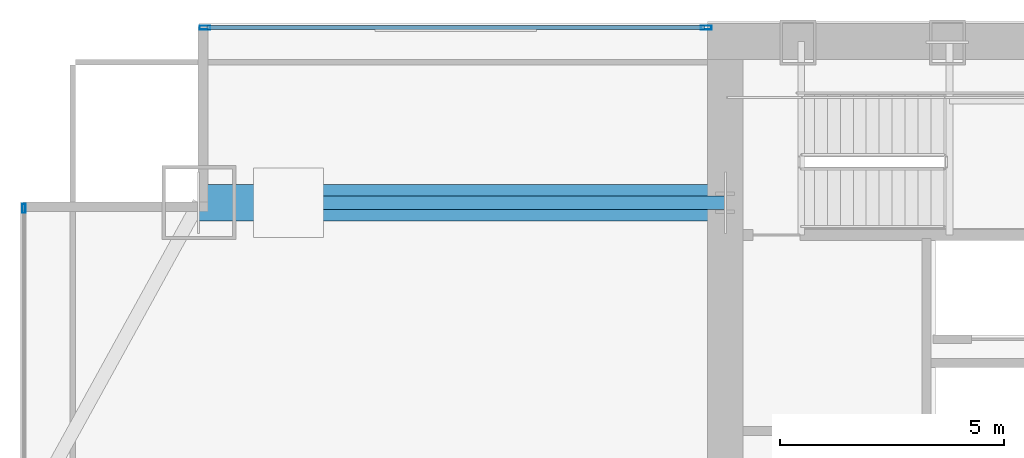
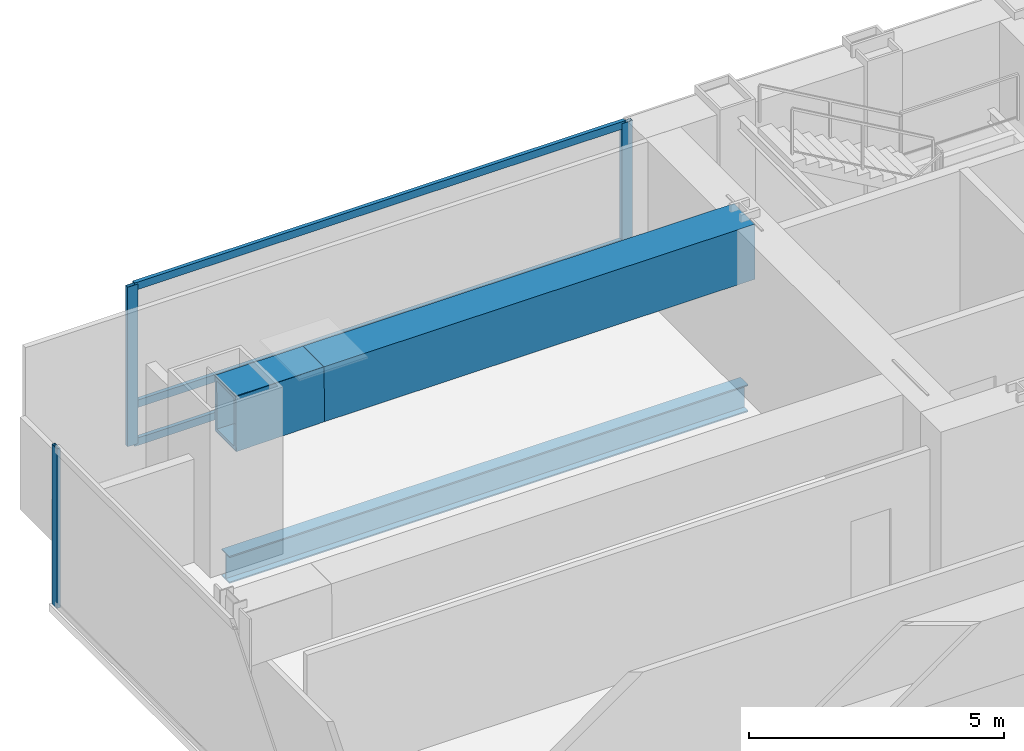
# One storey, part 15 of 32: 6 members, 3 beams, 2 elements without a shape of their own.
"""IFC4 building model written with IfcOpenShell, lengths in metres."""

import ifcopenshell
import ifcopenshell.guid

model = None  # the IFC model being written
_history = None  # IfcOwnerHistory: only IFC2X3 demands one
_inside = {}  # id of a spatial element -> (the spatial element, [elements in it])
_under = {}  # id of a project, library or spatial element -> (it, [spatial elements below it])
_declared = {}  # id of a project -> (the project, [libraries it declares])
_typed = {}  # id of a type object -> (the type object, [elements of that type])
_made_of = {}  # id of a material, layer set ... -> (it, [elements and type objects made of it])


def new_model(schema):
    """Start an empty IFC model of exactly this schema.

    Asked for "IFC4X3", IfcOpenShell would pick the latest addendum, in which some entities
    have other attributes; the version numbers below select the first issue.
    IFC2X3 requires an IfcOwnerHistory on every rooted entity: one is made here for all.
    """
    global model, _history
    if schema == "IFC4X3":
        model = ifcopenshell.file(schema_version=(4, 3, 0, 0))
    else:
        model = ifcopenshell.file(schema=schema)
    _inside.clear()
    _under.clear()
    _declared.clear()
    _typed.clear()
    _made_of.clear()
    _history = None
    if model.schema == "IFC2X3":
        org = make("IfcOrganization", Name="unknown")
        user = make(
            "IfcPersonAndOrganization",
            ThePerson=make("IfcPerson", FamilyName="unknown"),
            TheOrganization=org,
        )
        app = make(
            "IfcApplication",
            ApplicationDeveloper=org,
            Version="unknown",
            ApplicationFullName="unknown",
            ApplicationIdentifier="unknown",
        )
        _history = make(
            "IfcOwnerHistory",
            OwningUser=user,
            OwningApplication=app,
            ChangeAction="ADDED",
            CreationDate=0,
        )
    return model


def make(cls, **values):
    """One entity of the class cls with the attributes given. An attribute that is None is left unset."""
    return model.create_entity(
        cls, **{name: value for name, value in values.items() if value is not None}
    )


def rooted(cls, **values):
    """An entity with a GlobalId (a new one), such as an element, a storey or a relation."""
    return make(cls, GlobalId=ifcopenshell.guid.new(), OwnerHistory=_history, **values)


def si_unit(unit_type, name, prefix=None):
    """IfcSIUnit, for example si_unit("LENGTHUNIT", "METRE", prefix="MILLI")."""
    return make("IfcSIUnit", UnitType=unit_type, Prefix=prefix, Name=name)


def assignment(units):
    """IfcUnitAssignment: the units of a project."""
    return None if units is None else make("IfcUnitAssignment", Units=units)


def point(xyz):
    """IfcCartesianPoint."""
    return None if xyz is None else make("IfcCartesianPoint", Coordinates=xyz)


def direction(xyz):
    """IfcDirection."""
    return None if xyz is None else make("IfcDirection", DirectionRatios=xyz)


def frame(location, z_axis=None, x_axis=None):
    """IfcAxis2Placement3D, a coordinate frame: its origin and axes. An axis left out is left unset."""
    return make(
        "IfcAxis2Placement3D",
        Location=point(location),
        Axis=direction(z_axis),
        RefDirection=direction(x_axis),
    )


def frame_2d(location, x_axis=None):
    """IfcAxis2Placement2D, a coordinate frame in the plane: its origin and x axis."""
    return make(
        "IfcAxis2Placement2D", Location=point(location), RefDirection=direction(x_axis)
    )


def origin():
    """The frame at (0, 0, 0) with its axes left unset."""
    return frame((0.0, 0.0, 0.0))


def origin_2d():
    """The frame at (0, 0) in the plane with its x axis left unset."""
    return frame_2d((0.0, 0.0))


def place(relative_to, where):
    """IfcLocalPlacement: puts the frame where relative to a parent placement (None: the world)."""
    return make(
        "IfcLocalPlacement", PlacementRelTo=relative_to, RelativePlacement=where
    )


def context(
    kind, dimensions, precision=None, world=None, true_north=None, identifier=None
):
    """IfcGeometricRepresentationContext, for example the 3D "Model" context."""
    return make(
        "IfcGeometricRepresentationContext",
        ContextIdentifier=identifier,
        ContextType=kind,
        CoordinateSpaceDimension=dimensions,
        Precision=precision,
        WorldCoordinateSystem=world,
        TrueNorth=true_north,
    )


def subcontext(parent, identifier, kind, view, scale=None):
    """IfcGeometricRepresentationSubContext, for example "Body" below "Model"."""
    return make(
        "IfcGeometricRepresentationSubContext",
        ContextIdentifier=identifier,
        ContextType=kind,
        ParentContext=parent,
        TargetScale=scale,
        TargetView=view,
    )


def project(units=None, contexts=None):
    """IfcProject with its units and contexts."""
    return rooted(
        "IfcProject",
        Name="project",
        RepresentationContexts=contexts,
        UnitsInContext=assignment(units),
    )


def spatial(cls, under=None, at=None, **own):
    """A site, building, storey or space (cls), placed at a placement, below another one or the project."""
    s = rooted(cls, ObjectPlacement=at, **own)
    if under is not None:
        _under.setdefault(under.id(), (under, []))[1].append(s)
    return s


def profile(cls, at=None, kind="AREA", **sizes):
    """A parametric profile (cls). Its sizes go by their IFC names, for example OverallWidth=200.0."""
    return make(cls, ProfileType=kind, Position=at, **sizes)


def hollow_rectangle(**sizes):
    """IfcRectangleHollowProfileDef."""
    return profile("IfcRectangleHollowProfileDef", **sizes)


def i_section(**sizes):
    """IfcIShapeProfileDef."""
    return profile("IfcIShapeProfileDef", **sizes)


def extrude(swept, where, along, depth):
    """IfcExtrudedAreaSolid: the profile swept, set in the frame where, extruded along a direction by depth."""
    return make(
        "IfcExtrudedAreaSolid",
        SweptArea=swept,
        Position=where,
        ExtrudedDirection=direction(along),
        Depth=depth,
    )


def shape(context_of_items, identifier, shape_type, items):
    """IfcShapeRepresentation: the items that make up one representation, for example the "Body"."""
    return make(
        "IfcShapeRepresentation",
        ContextOfItems=context_of_items,
        RepresentationIdentifier=identifier,
        RepresentationType=shape_type,
        Items=items,
    )


def material(Name=None, Category=None):
    """IfcMaterial."""
    return make("IfcMaterial", Name=Name, Category=Category)


def material_profile(
    of_material, cross_section, Name=None, Category=None, Priority=None
):
    """IfcMaterialProfile: a cross section and its material."""
    return make(
        "IfcMaterialProfile",
        Name=Name,
        Material=of_material,
        Profile=cross_section,
        Priority=Priority,
        Category=Category,
    )


def profile_set(profiles, Name=None, composite=None):
    """IfcMaterialProfileSet."""
    return make(
        "IfcMaterialProfileSet",
        Name=Name,
        MaterialProfiles=profiles,
        CompositeProfile=composite,
    )


def made_of(thing, what):
    """Note that an element or type object is made of a material, layer set ...; save() writes the relation."""
    if what is not None:
        _made_of.setdefault(what.id(), (what, []))[1].append(thing)
    return thing


def type_object(cls, material=None, **own):
    """A type object (cls), such as IfcWallType, which elements share."""
    return made_of(rooted(cls, **own), material)


def element(
    cls,
    number,
    at=None,
    inside=None,
    cuts=None,
    type_object=None,
    material=None,
    context=None,
    identifier="Body",
    shape_type=None,
    held_by="IfcProductDefinitionShape",
    body=None,
    shapes=None,
    **own,
):
    """One element of the class cls, such as IfcWall. Its Tag is "e" and its number.

    at: its placement. inside: the storey or other place that contains it. cuts: it is an
    opening in that element (IfcRelVoidsElement). A single representation is given by context,
    identifier, shape_type and body (its items); several are given by shapes. held_by: the class
    of the entity that holds the representations. save() writes the other relations.
    """
    e = rooted(cls, Tag="e%d" % number, ObjectPlacement=at, **own)
    if body is not None:
        shapes = [shape(context, identifier, shape_type, body)]
    if shapes is not None:
        e.Representation = make(held_by, Representations=shapes)
    if inside is not None:
        _inside.setdefault(inside.id(), (inside, []))[1].append(e)
    if cuts is not None:
        rooted(
            "IfcRelVoidsElement", RelatingBuildingElement=cuts, RelatedOpeningElement=e
        )
    if type_object is not None:
        _typed.setdefault(type_object.id(), (type_object, []))[1].append(e)
    return made_of(e, material)


def aggregate(whole, parts):
    """IfcRelAggregates: a whole, such as a stair, and the parts it consists of."""
    return rooted("IfcRelAggregates", RelatingObject=whole, RelatedObjects=parts)


def save(model, path):
    """Write the relations noted so far, then the file.

    IfcRelAggregates (storeys below a building ...), IfcRelContainedInSpatialStructure (elements
    in a storey), IfcRelDefinesByType, IfcRelAssociatesMaterial and IfcRelDeclares: one each for
    every whole, place, type object, material and project.
    """
    for whole, parts in _under.values():
        aggregate(whole, parts)
    for where, things in _inside.values():
        rooted(
            "IfcRelContainedInSpatialStructure",
            RelatedElements=things,
            RelatingStructure=where,
        )
    for kind, things in _typed.values():
        rooted("IfcRelDefinesByType", RelatedObjects=things, RelatingType=kind)
    for what, things in _made_of.values():
        rooted("IfcRelAssociatesMaterial", RelatedObjects=things, RelatingMaterial=what)
    for by, libraries in _declared.values():
        rooted("IfcRelDeclares", RelatingContext=by, RelatedDefinitions=libraries)
    model.write(path)


model = new_model("IFC4")

# Units and contexts
model_context = context("Model", 3, precision=1e-05, world=origin(), true_north=direction((0.0, 1.0)))
body_context = subcontext(model_context, "Body", "Model", "MODEL_VIEW")
ifc_project = project(units=[si_unit("LENGTHUNIT", "METRE"), si_unit("AREAUNIT", "SQUARE_METRE"), si_unit("VOLUMEUNIT", "CUBIC_METRE"), si_unit("PLANEANGLEUNIT", "RADIAN"), si_unit("MASSUNIT", "GRAM", prefix="KILO")], contexts=[model_context])

# Site, building, storey
site_placement = place(None, origin())
site = spatial("IfcSite", under=ifc_project, at=site_placement, CompositionType="ELEMENT")
building_placement = place(site_placement, origin())
building = spatial("IfcBuilding", under=site, at=building_placement, Name="Khoronbel Lancet Exchange", CompositionType="ELEMENT")
storey_placement = place(building_placement, frame((0.0, 0.0, 77.800048828125)))
storey = spatial("IfcBuildingStorey", under=building, at=storey_placement, Name="L18", CompositionType="ELEMENT", Elevation=77.800048828125)

# Beams
ifc_material_1 = material(Name="Steel S355", Category="steel")
ifc_material_profile_1 = material_profile(ifc_material_1, i_section(OverallWidth=0.300048828125, OverallDepth=0.64990234375, WebThickness=0.01611328125, FlangeThickness=0.031005859375, at=origin_2d()), Name="HEB 650")
ifc_profile_set_1 = profile_set([ifc_material_profile_1], Name="Steel S355")
beam_type_1 = type_object("IfcBeamType", Name="BM-BSP1", PredefinedType="SPANDREL", material=ifc_profile_set_1)
beam_1_placement = place(storey_placement, frame((4.85009765625, 49.699951171875, -0.505126953125), z_axis=(1.0, 0.0, 0.0), x_axis=(0.0, 1.0, 0.0)))
element("IfcBeam", 1, at=beam_1_placement, inside=storey, type_object=beam_type_1, Name="Level L18 north flank tie spandrel SP22", PredefinedType="SPANDREL", context=body_context, shape_type="SweptSolid", body=[
    extrude(i_section(OverallWidth=0.300048828125, OverallDepth=0.64990234375, WebThickness=0.01611328125, FlangeThickness=0.031005859375, at=origin_2d()), origin(), (0.0, 0.0, 1.0), 11.75),
])
ifc_material_2 = material(Name="Steel S460", Category="steel")
ifc_material_profile_2 = material_profile(ifc_material_2, hollow_rectangle(XDim=0.820068359375, YDim=1.320068359375, WallThickness=0.070068359375, at=origin_2d()), Name="BOX 820x1320x70")
ifc_profile_set_2 = profile_set([ifc_material_profile_2], Name="Steel S460")
beam_type_2 = type_object("IfcBeamType", Name="BM-TG4", PredefinedType="USERDEFINED", material=ifc_profile_set_2)
beam_2_placement = place(storey_placement, frame((4.85009765625, 49.699951171875, 3.139892578125), z_axis=(0.99994990606, 0.0, 0.010009264196), x_axis=(0.0, 1.0, 0.0)))
element("IfcBeam", 2, at=beam_2_placement, inside=storey, type_object=beam_type_2, Name="Setback transfer knee-brace girder L18-MC-NW", ObjectType="TRANSFER GIRDER", PredefinedType="USERDEFINED", context=body_context, shape_type="SweptSolid", body=[
    extrude(hollow_rectangle(XDim=0.820068359375, YDim=1.320068359375, WallThickness=0.070068359375, at=origin_2d()), origin(), (0.0, 0.0, 1.0), 2.0),
])
beam_3_placement = place(storey_placement, frame((4.85009765625, 49.699951171875, 3.159912109375), z_axis=(1.0, 0.0, 0.0), x_axis=(0.0, 1.0, 0.0)))
element("IfcBeam", 3, at=beam_3_placement, inside=storey, type_object=beam_type_2, Name="Corner mega-column setback transfer girder L18-NW", ObjectType="TRANSFER GIRDER", PredefinedType="USERDEFINED", context=body_context, shape_type="SweptSolid", body=[
    extrude(hollow_rectangle(XDim=0.820068359375, YDim=1.320068359375, WallThickness=0.070068359375, at=origin_2d()), origin(), (0.0, 0.0, 1.0), 11.75),
])

# Curtain wall, members
ifc_material_3 = material(Name="Low-E Solar Control Insulating Glass", Category="glass")
curtain_wall_type_1 = type_object("IfcCurtainWallType", Name="CW-1", PredefinedType="NOTDEFINED", material=ifc_material_3)
curtain_wall_1_placement = place(storey_placement, origin())
curtain_wall_1 = element("IfcCurtainWall", 4, at=curtain_wall_1_placement, inside=storey, type_object=curtain_wall_type_1, Name="Unitised curtain wall CW-L18-NWFLK", PredefinedType="NOTDEFINED")
ifc_material_4 = material(Name="Bronze-Anodised Aluminium 6063-T6", Category="aluminium")
ifc_material_profile_3 = material_profile(ifc_material_4, hollow_rectangle(XDim=0.0849609375, YDim=0.239990234375, WallThickness=0.006103515625, at=origin_2d()), Name="ALU MULLION 85x240")
ifc_profile_set_3 = profile_set([ifc_material_profile_3], Name="Bronze-Anodised Aluminium 6063-T6")
member_type_1 = type_object("IfcMemberType", Name="MEM-CWM1", PredefinedType="MULLION", material=ifc_profile_set_3)
member_1_placement = place(storey_placement, frame((16.177490234375, 53.610107421875, 0.0), z_axis=(0.0, 0.0, 1.0), x_axis=(0.0, -1.0, 0.0)))
member_1 = element("IfcMember", 5, at=member_1_placement, type_object=member_type_1, Name="CW1 mullion 1", PredefinedType="MULLION", context=body_context, shape_type="SweptSolid", body=[
    extrude(hollow_rectangle(XDim=0.0849609375, YDim=0.239990234375, WallThickness=0.006103515625, at=origin_2d()), origin(), (0.0, 0.0, 1.0), 3.820068359375),
])
member_2_placement = place(storey_placement, frame((4.982421875, 53.610107421875, 0.0), z_axis=(0.0, 0.0, 1.0), x_axis=(0.0, -1.0, 0.0)))
member_2 = element("IfcMember", 6, at=member_2_placement, type_object=member_type_1, Name="CW1 mullion 2", PredefinedType="MULLION", context=body_context, shape_type="SweptSolid", body=[
    extrude(hollow_rectangle(XDim=0.0849609375, YDim=0.239990234375, WallThickness=0.006103515625, at=origin_2d()), origin(), (0.0, 0.0, 1.0), 3.820068359375),
])

# Curtain wall, member
curtain_wall_type_2 = type_object("IfcCurtainWallType", Name="CW-4", PredefinedType="NOTDEFINED", material=ifc_material_3)
curtain_wall_2_placement = place(storey_placement, origin())
curtain_wall_2 = element("IfcCurtainWall", 7, at=curtain_wall_2_placement, inside=storey, type_object=curtain_wall_type_2, Name="Unitised curtain wall CW-L18-E03", PredefinedType="NOTDEFINED")
ifc_material_profile_4 = material_profile(ifc_material_4, hollow_rectangle(XDim=0.074951171875, YDim=0.199951171875, WallThickness=0.0048828125, at=origin_2d()), Name="ALU MULLION 75x200")
ifc_profile_set_4 = profile_set([ifc_material_profile_4], Name="Bronze-Anodised Aluminium 6063-T6")
member_type_2 = type_object("IfcMemberType", Name="MEM-CWM2", PredefinedType="MULLION", material=ifc_profile_set_4)
member_3_placement = place(storey_placement, frame((0.93994140625, 49.572509765625, 0.0), z_axis=(0.0, 0.0, 1.0), x_axis=(-1.0, 0.0, 0.0)))
member_3 = element("IfcMember", 8, at=member_3_placement, type_object=member_type_2, Name="CW4 mullion 3", PredefinedType="MULLION", context=body_context, shape_type="SweptSolid", body=[
    extrude(hollow_rectangle(XDim=0.074951171875, YDim=0.199951171875, WallThickness=0.0048828125, at=origin_2d()), origin(), (0.0, 0.0, 1.0), 3.820068359375),
])
aggregate(curtain_wall_2, [member_3])

# Member
ifc_material_profile_5 = material_profile(ifc_material_4, hollow_rectangle(XDim=0.0849609375, YDim=0.179931640625, WallThickness=0.0048828125, at=origin_2d()), Name="ALU TRANSOM 85x180")
ifc_profile_set_5 = profile_set([ifc_material_profile_5], Name="Bronze-Anodised Aluminium 6063-T6")
member_type_3 = type_object("IfcMemberType", Name="MEM-CWT1", PredefinedType="USERDEFINED", material=ifc_profile_set_5)
member_4_placement = place(storey_placement, frame((16.135009765625, 53.610107421875, 0.04248046875), z_axis=(-1.0, 0.0, 0.0), x_axis=(0.0, -1.0, 0.0)))
member_4 = element("IfcMember", 9, at=member_4_placement, type_object=member_type_3, Name="CW1 transom 1.1", ObjectType="TRANSOM", PredefinedType="USERDEFINED", context=body_context, shape_type="SweptSolid", body=[
    extrude(hollow_rectangle(XDim=0.0849609375, YDim=0.179931640625, WallThickness=0.0048828125, at=origin_2d()), origin(), (0.0, 0.0, 1.0), 11.110107421875),
])

member_5_placement = place(storey_placement, frame((16.135009765625, 53.610107421875, 0.949951171875), z_axis=(-1.0, 0.0, 0.0), x_axis=(0.0, -1.0, 0.0)))
member_5 = element("IfcMember", 10, at=member_5_placement, type_object=member_type_3, Name="CW1 transom 1.2", ObjectType="TRANSOM", PredefinedType="USERDEFINED", context=body_context, shape_type="SweptSolid", body=[
    extrude(hollow_rectangle(XDim=0.0849609375, YDim=0.179931640625, WallThickness=0.0048828125, at=origin_2d()), origin(), (0.0, 0.0, 1.0), 11.110107421875),
])

member_6_placement = place(storey_placement, frame((16.135009765625, 53.610107421875, 3.77734375), z_axis=(-1.0, 0.0, 0.0), x_axis=(0.0, -1.0, 0.0)))
member_6 = element("IfcMember", 11, at=member_6_placement, type_object=member_type_3, Name="CW1 transom 1.3", ObjectType="TRANSOM", PredefinedType="USERDEFINED", context=body_context, shape_type="SweptSolid", body=[
    extrude(hollow_rectangle(XDim=0.0849609375, YDim=0.179931640625, WallThickness=0.0048828125, at=origin_2d()), origin(), (0.0, 0.0, 1.0), 11.110107421875),
])

aggregate(curtain_wall_1, [member_1, member_2, member_4, member_5, member_6])

save(model, "model.ifc")
